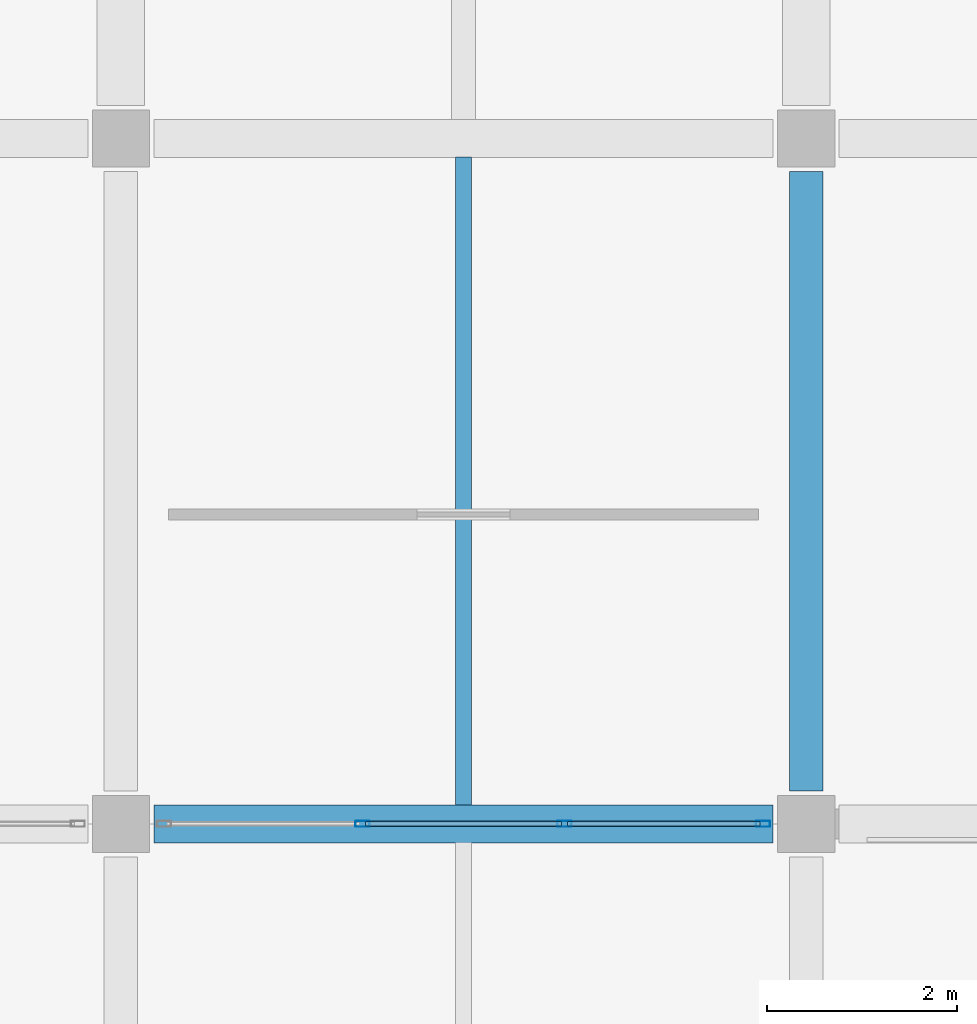
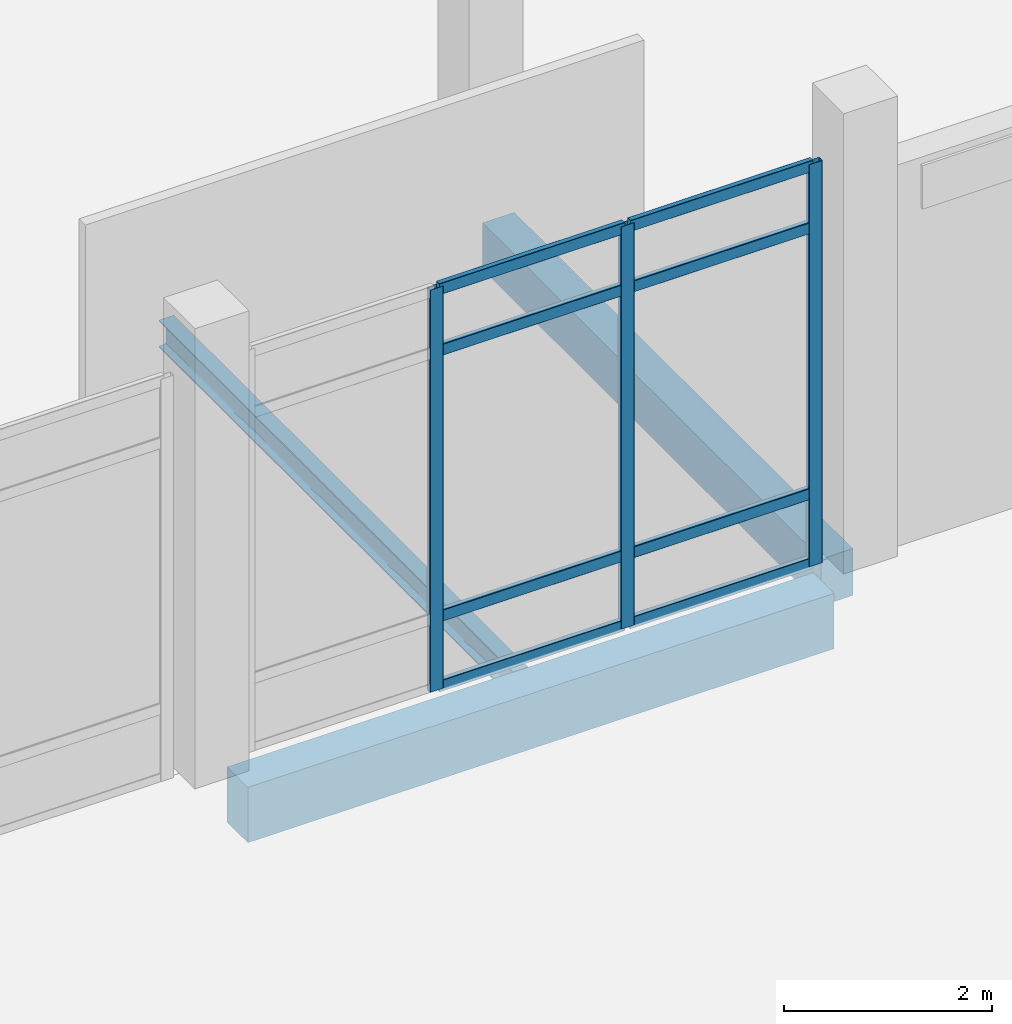
# One storey, part 128 of 180: 11 members, 3 beams, 1 element without a shape of its own.
"""IFC4 building model written with IfcOpenShell, lengths in metres."""

from ifc_helpers import new_model, si_unit, direction, frame, origin, origin_2d, place, context, subcontext, project, spatial, rectangle, hollow_rectangle, i_section, extrude, material, material_profile, profile_set, type_object, element, aggregate, save


model = new_model("IFC4")

# Units and contexts
model_context = context("Model", 3, precision=1e-05, world=origin(), true_north=direction((0.0, 1.0)))
body_context = subcontext(model_context, "Body", "Model", "MODEL_VIEW")
ifc_project = project(units=[si_unit("LENGTHUNIT", "METRE"), si_unit("AREAUNIT", "SQUARE_METRE"), si_unit("VOLUMEUNIT", "CUBIC_METRE"), si_unit("PLANEANGLEUNIT", "RADIAN"), si_unit("MASSUNIT", "GRAM", prefix="KILO")], contexts=[model_context])

# Site, building, storey
site_placement = place(None, origin())
site = spatial("IfcSite", under=ifc_project, at=site_placement, CompositionType="ELEMENT")
building_placement = place(site_placement, origin())
building = spatial("IfcBuilding", under=site, at=building_placement, Name="Lusvemor Sports Hall", CompositionType="ELEMENT")
storey_placement = place(building_placement, frame((0.0, 0.0, 5.39990234375)))
storey = spatial("IfcBuildingStorey", under=building, at=storey_placement, Name="L01", CompositionType="ELEMENT", Elevation=5.39990234375)

# Beams
ifc_material_1 = material(Name="Concrete C40/50", Category="concrete")
ifc_material_profile_1 = material_profile(ifc_material_1, rectangle(XDim=0.35009765625, YDim=0.550048828125, at=origin_2d()), Name="RC350x550")
ifc_profile_set_1 = profile_set([ifc_material_profile_1], Name="Concrete C40/50")
beam_type_1 = type_object("IfcBeamType", Name="BEAM_RC_550", PredefinedType="BEAM", material=ifc_profile_set_1)
beam_1_placement = place(storey_placement, frame((147.60009765625, 97.5458984375, -0.534912109375), z_axis=(0.0, 1.0, 0.0), x_axis=(-1.0, 0.0, 0.0)))
element("IfcBeam", 1, at=beam_1_placement, inside=storey, type_object=beam_type_1, Name="Beam L01 17:N-P", PredefinedType="BEAM", context=body_context, shape_type="SweptSolid", body=[
    extrude(rectangle(XDim=0.35009765625, YDim=0.550048828125, at=origin_2d()), origin(), (0.0, 0.0, 1.0), 6.508056640625),
])
ifc_material_2 = material(Name="Concrete C40/50", Category="concrete")
ifc_material_profile_2 = material_profile(ifc_material_2, rectangle(XDim=0.39990234375, YDim=0.64990234375, at=origin_2d()), Name="RC400x650")
ifc_profile_set_2 = profile_set([ifc_material_profile_2], Name="Concrete C40/50")
beam_type_2 = type_object("IfcBeamType", Name="BEAM_RC_650", PredefinedType="BEAM", material=ifc_profile_set_2)
beam_2_placement = place(storey_placement, frame((140.74609375, 97.199951171875, -0.594970703125), z_axis=(1.0, 0.0, 0.0), x_axis=(0.0, 1.0, 0.0)))
element("IfcBeam", 2, at=beam_2_placement, inside=storey, type_object=beam_type_2, Name="Beam L01 N:16-17", PredefinedType="BEAM", context=body_context, shape_type="SweptSolid", body=[
    extrude(rectangle(XDim=0.39990234375, YDim=0.64990234375, at=origin_2d()), origin(), (0.0, 0.0, 1.0), 6.5078125),
])

# Curtain wall, members
ifc_material_3 = material(Name="Thermally broken bronze-anodized aluminium", Category="aluminium")
curtain_wall_type = type_object("IfcCurtainWallType", Name="CW_WING_B", PredefinedType="NOTDEFINED", material=ifc_material_3)
curtain_wall_placement = place(storey_placement, origin())
curtain_wall = element("IfcCurtainWall", 3, at=curtain_wall_placement, inside=storey, type_object=curtain_wall_type, Name="Curtain Wall CW-L01-S-3-13", PredefinedType="NOTDEFINED")
ifc_material_4 = material(Name="Thermally broken bronze-anodized aluminium", Category="aluminium")
ifc_material_profile_3 = material_profile(ifc_material_4, hollow_rectangle(XDim=0.06494140625, YDim=0.14990234375, WallThickness=0.00390625, InnerFilletRadius=0.00390625, OuterFilletRadius=0.008056640625, at=origin_2d()), Name="CWMUL150x65x4")
ifc_profile_set_3 = profile_set([ifc_material_profile_3], Name="Thermally broken bronze-anodized aluminium")
member_type_1 = type_object("IfcMemberType", Name="CW_MUL_B", PredefinedType="MULLION", material=ifc_profile_set_3)
member_1_placement = place(storey_placement, frame((147.1474609375, 97.199951171875, 0.0), z_axis=(0.0, 0.0, 1.0), x_axis=(0.0, -1.0, 0.0)))
member_1 = element("IfcMember", 4, at=member_1_placement, type_object=member_type_1, Name="CW02 mullion 1", PredefinedType="MULLION", context=body_context, shape_type="SweptSolid", body=[
    extrude(hollow_rectangle(XDim=0.06494140625, YDim=0.14990234375, WallThickness=0.00390625, InnerFilletRadius=0.00390625, OuterFilletRadius=0.008056640625, at=origin_2d()), origin(), (0.0, 0.0, 1.0), 4.72021484375),
])
member_2_placement = place(storey_placement, frame((145.06005859375, 97.199951171875, 0.0), z_axis=(0.0, 0.0, 1.0), x_axis=(0.0, -1.0, 0.0)))
member_2 = element("IfcMember", 5, at=member_2_placement, type_object=member_type_1, Name="CW02 mullion 2", PredefinedType="MULLION", context=body_context, shape_type="SweptSolid", body=[
    extrude(hollow_rectangle(XDim=0.06494140625, YDim=0.14990234375, WallThickness=0.00390625, InnerFilletRadius=0.00390625, OuterFilletRadius=0.008056640625, at=origin_2d()), origin(), (0.0, 0.0, 1.0), 4.72021484375),
])
member_3_placement = place(storey_placement, frame((142.93994140625, 97.199951171875, 0.0), z_axis=(0.0, 0.0, 1.0), x_axis=(0.0, -1.0, 0.0)))
member_3 = element("IfcMember", 6, at=member_3_placement, type_object=member_type_1, Name="CW02 mullion 3", PredefinedType="MULLION", context=body_context, shape_type="SweptSolid", body=[
    extrude(hollow_rectangle(XDim=0.06494140625, YDim=0.14990234375, WallThickness=0.00390625, InnerFilletRadius=0.00390625, OuterFilletRadius=0.008056640625, at=origin_2d()), origin(), (0.0, 0.0, 1.0), 4.72021484375),
])
ifc_material_5 = material(Name="Thermally broken bronze-anodized aluminium", Category="aluminium")
ifc_material_profile_4 = material_profile(ifc_material_5, hollow_rectangle(XDim=0.06005859375, YDim=0.135009765625, WallThickness=0.00390625, InnerFilletRadius=0.00390625, OuterFilletRadius=0.008056640625, at=origin_2d()), Name="CWTRN135x60x4")
ifc_profile_set_4 = profile_set([ifc_material_profile_4], Name="Thermally broken bronze-anodized aluminium")
member_type_2 = type_object("IfcMemberType", Name="CW_TRN_B", PredefinedType="USERDEFINED", material=ifc_profile_set_4)
member_4_placement = place(storey_placement, frame((147.114990234375, 97.199951171875, 0.030029296875), z_axis=(-1.0, 0.0, 0.0), x_axis=(0.0, -1.0, 0.0)))
member_4 = element("IfcMember", 7, at=member_4_placement, type_object=member_type_2, Name="CW02 transom 1.1", ObjectType="TRANSOM", PredefinedType="USERDEFINED", context=body_context, shape_type="SweptSolid", body=[
    extrude(hollow_rectangle(XDim=0.06005859375, YDim=0.135009765625, WallThickness=0.00390625, InnerFilletRadius=0.00390625, OuterFilletRadius=0.008056640625, at=origin_2d()), origin(), (0.0, 0.0, 1.0), 2.0224609375),
])
member_5_placement = place(storey_placement, frame((147.114990234375, 97.199951171875, 0.85009765625), z_axis=(-1.0, 0.0, 0.0), x_axis=(0.0, -1.0, 0.0)))
member_5 = element("IfcMember", 8, at=member_5_placement, type_object=member_type_2, Name="CW02 transom 1.2", ObjectType="TRANSOM", PredefinedType="USERDEFINED", context=body_context, shape_type="SweptSolid", body=[
    extrude(hollow_rectangle(XDim=0.06005859375, YDim=0.135009765625, WallThickness=0.00390625, InnerFilletRadius=0.00390625, OuterFilletRadius=0.008056640625, at=origin_2d()), origin(), (0.0, 0.0, 1.0), 2.0224609375),
])
member_6_placement = place(storey_placement, frame((147.114990234375, 97.199951171875, 3.97021484375), z_axis=(-1.0, 0.0, 0.0), x_axis=(0.0, -1.0, 0.0)))
member_6 = element("IfcMember", 9, at=member_6_placement, type_object=member_type_2, Name="CW02 transom 1.3", ObjectType="TRANSOM", PredefinedType="USERDEFINED", context=body_context, shape_type="SweptSolid", body=[
    extrude(hollow_rectangle(XDim=0.06005859375, YDim=0.135009765625, WallThickness=0.00390625, InnerFilletRadius=0.00390625, OuterFilletRadius=0.008056640625, at=origin_2d()), origin(), (0.0, 0.0, 1.0), 2.0224609375),
])
member_7_placement = place(storey_placement, frame((147.114990234375, 97.199951171875, 4.690185546875), z_axis=(-1.0, 0.0, 0.0), x_axis=(0.0, -1.0, 0.0)))
member_7 = element("IfcMember", 10, at=member_7_placement, type_object=member_type_2, Name="CW02 transom 1.4", ObjectType="TRANSOM", PredefinedType="USERDEFINED", context=body_context, shape_type="SweptSolid", body=[
    extrude(hollow_rectangle(XDim=0.06005859375, YDim=0.135009765625, WallThickness=0.00390625, InnerFilletRadius=0.00390625, OuterFilletRadius=0.008056640625, at=origin_2d()), origin(), (0.0, 0.0, 1.0), 2.0224609375),
])
member_8_placement = place(storey_placement, frame((145.027587890625, 97.199951171875, 0.030029296875), z_axis=(-1.0, 0.0, 0.0), x_axis=(0.0, -1.0, 0.0)))
member_8 = element("IfcMember", 11, at=member_8_placement, type_object=member_type_2, Name="CW02 transom 2.1", ObjectType="TRANSOM", PredefinedType="USERDEFINED", context=body_context, shape_type="SweptSolid", body=[
    extrude(hollow_rectangle(XDim=0.06005859375, YDim=0.135009765625, WallThickness=0.00390625, InnerFilletRadius=0.00390625, OuterFilletRadius=0.008056640625, at=origin_2d()), origin(), (0.0, 0.0, 1.0), 2.05517578125),
])
member_9_placement = place(storey_placement, frame((145.027587890625, 97.199951171875, 0.85009765625), z_axis=(-1.0, 0.0, 0.0), x_axis=(0.0, -1.0, 0.0)))
member_9 = element("IfcMember", 12, at=member_9_placement, type_object=member_type_2, Name="CW02 transom 2.2", ObjectType="TRANSOM", PredefinedType="USERDEFINED", context=body_context, shape_type="SweptSolid", body=[
    extrude(hollow_rectangle(XDim=0.06005859375, YDim=0.135009765625, WallThickness=0.00390625, InnerFilletRadius=0.00390625, OuterFilletRadius=0.008056640625, at=origin_2d()), origin(), (0.0, 0.0, 1.0), 2.05517578125),
])
member_10_placement = place(storey_placement, frame((145.027587890625, 97.199951171875, 3.97021484375), z_axis=(-1.0, 0.0, 0.0), x_axis=(0.0, -1.0, 0.0)))
member_10 = element("IfcMember", 13, at=member_10_placement, type_object=member_type_2, Name="CW02 transom 2.3", ObjectType="TRANSOM", PredefinedType="USERDEFINED", context=body_context, shape_type="SweptSolid", body=[
    extrude(hollow_rectangle(XDim=0.06005859375, YDim=0.135009765625, WallThickness=0.00390625, InnerFilletRadius=0.00390625, OuterFilletRadius=0.008056640625, at=origin_2d()), origin(), (0.0, 0.0, 1.0), 2.05517578125),
])
member_11_placement = place(storey_placement, frame((145.027587890625, 97.199951171875, 4.690185546875), z_axis=(-1.0, 0.0, 0.0), x_axis=(0.0, -1.0, 0.0)))
member_11 = element("IfcMember", 14, at=member_11_placement, type_object=member_type_2, Name="CW02 transom 2.4", ObjectType="TRANSOM", PredefinedType="USERDEFINED", context=body_context, shape_type="SweptSolid", body=[
    extrude(hollow_rectangle(XDim=0.06005859375, YDim=0.135009765625, WallThickness=0.00390625, InnerFilletRadius=0.00390625, OuterFilletRadius=0.008056640625, at=origin_2d()), origin(), (0.0, 0.0, 1.0), 2.05517578125),
])
aggregate(curtain_wall, [member_1, member_2, member_3, member_4, member_5, member_6, member_7, member_8, member_9, member_10, member_11])

# Beam
ifc_material_6 = material(Name="Steel S355", Category="steel")
ifc_material_profile_5 = material_profile(ifc_material_6, i_section(OverallWidth=0.1669921875, OverallDepth=0.31689453125, WebThickness=0.007568359375, FlangeThickness=0.01318359375, FilletRadius=0.014892578125, at=origin_2d()), Name="W310x52.0")
ifc_profile_set_5 = profile_set([ifc_material_profile_5], Name="Steel S355")
beam_type_3 = type_object("IfcBeamType", Name="JOIST_ST_310M", PredefinedType="JOIST", material=ifc_profile_set_5)
beam_3_placement = place(storey_placement, frame((144.0, 97.39599609375, -0.42236328125), z_axis=(0.0, 1.0, 0.0), x_axis=(-1.0, 0.0, 0.0)))
element("IfcBeam", 15, at=beam_3_placement, inside=storey, type_object=beam_type_3, Name="Secondary Joist L01 16-17/N-P #1", PredefinedType="JOIST", context=body_context, shape_type="SweptSolid", body=[
    extrude(i_section(OverallWidth=0.1669921875, OverallDepth=0.31689453125, WebThickness=0.007568359375, FlangeThickness=0.01318359375, FilletRadius=0.014892578125, at=origin_2d()), origin(), (0.0, 0.0, 1.0), 6.80810546875),
])

save(model, "model.ifc")
